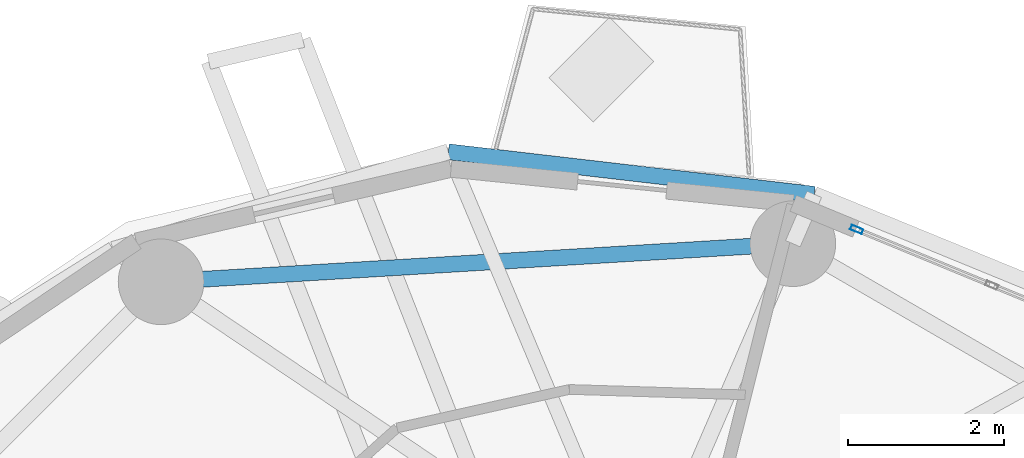
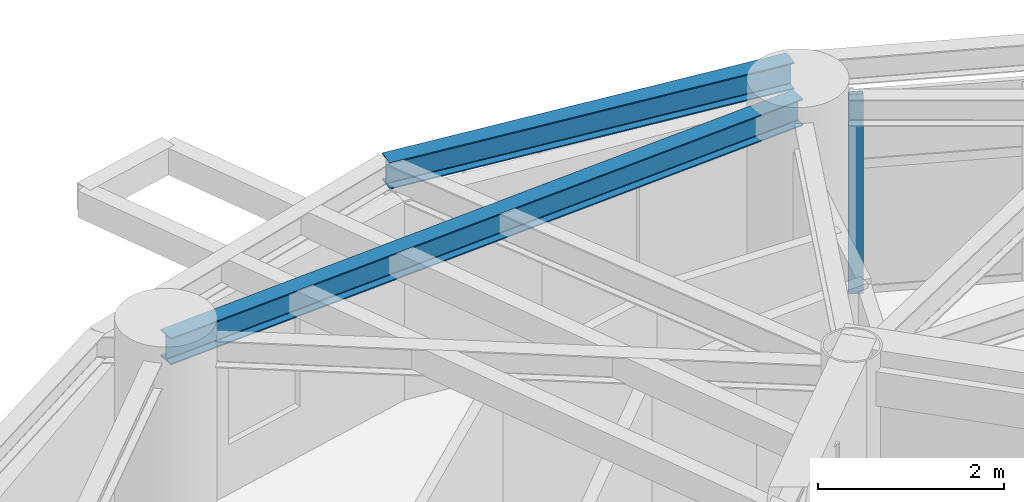
# One storey, part 5 of 17: 2 beams, 1 member, 1 element without a shape of its own.
"""IFC4 building model written with IfcOpenShell, lengths in metres."""

from ifc_helpers import new_model, si_unit, direction, frame, origin, origin_2d, place, context, subcontext, project, spatial, hollow_rectangle, i_section, extrude, material, layer, layer_set, material_profile, profile_set, type_object, element, aggregate, save


model = new_model("IFC4")

# Units and contexts
model_context = context("Model", 3, precision=1e-05, world=origin(), true_north=direction((0.0, 1.0)))
body_context = subcontext(model_context, "Body", "Model", "MODEL_VIEW")
ifc_project = project(units=[si_unit("LENGTHUNIT", "METRE"), si_unit("AREAUNIT", "SQUARE_METRE"), si_unit("VOLUMEUNIT", "CUBIC_METRE"), si_unit("PLANEANGLEUNIT", "RADIAN"), si_unit("MASSUNIT", "GRAM", prefix="KILO")], contexts=[model_context])

# Site, building, storey
site_placement = place(None, origin())
site = spatial("IfcSite", under=ifc_project, at=site_placement, CompositionType="ELEMENT")
building_placement = place(site_placement, origin())
building = spatial("IfcBuilding", under=site, at=building_placement, Name="Cununo Teusaquillo Station Towers", CompositionType="ELEMENT")
storey_placement = place(building_placement, frame((0.0, 0.0, 222.85009765625)))
storey = spatial("IfcBuildingStorey", under=building, at=storey_placement, Name="L71", CompositionType="ELEMENT", Elevation=222.85009765625)

# Beams
ifc_material_1 = material(Name="Steel ASTM A572 Grade 50", Category="steel")
ifc_material_profile_1 = material_profile(ifc_material_1, i_section(OverallWidth=0.2041015625, OverallDepth=0.35009765625, WebThickness=0.008544921875, FlangeThickness=0.01513671875, FilletRadius=0.011962890625, at=origin_2d()), Name="W14X48")
ifc_profile_set_1 = profile_set([ifc_material_profile_1], Name="Steel ASTM A572 Grade 50")
beam_type = type_object("IfcBeamType", Name="BM-RING-Z4", PredefinedType="SPANDREL", material=ifc_profile_set_1)
beam_1_placement = place(storey_placement, frame((58.291015625, 37.63525390625, 2.81494140625), z_axis=(-0.998190567048, -0.06012979176, 0.0), x_axis=(0.06012979176, -0.998190567048, 0.0)))
element("IfcBeam", 1, at=beam_1_placement, inside=storey, type_object=beam_type, Name="L71 Tower B Structural Column Ring Girder 02", PredefinedType="SPANDREL", context=body_context, shape_type="SweptSolid", body=[
    extrude(i_section(OverallWidth=0.2041015625, OverallDepth=0.35009765625, WebThickness=0.008544921875, FlangeThickness=0.01513671875, FilletRadius=0.011962890625, at=origin_2d()), origin(), (0.0, 0.0, 1.0), 8.132568359375),
])
beam_2_placement = place(storey_placement, frame((58.56591796875, 38.27001953125, 2.81494140625), z_axis=(-0.993313022334, 0.115452326356, 0.0), x_axis=(-0.115452326356, -0.993313022334, 0.0)))
element("IfcBeam", 2, at=beam_2_placement, inside=storey, type_object=beam_type, Name="L71 Tower B Spandrel Ring Beam 03", PredefinedType="SPANDREL", context=body_context, shape_type="SweptSolid", body=[
    extrude(i_section(OverallWidth=0.2041015625, OverallDepth=0.35009765625, WebThickness=0.008544921875, FlangeThickness=0.01513671875, FilletRadius=0.011962890625, at=origin_2d()), origin(), (0.0, 0.0, 1.0), 4.732666015625),
])

# Curtain wall, member
ifc_material_2 = material(Name="Ceramic-fritted dark low-E double glazing", Category="glass")
ifc_layer = layer(ifc_material_2, 0.179931640625)
ifc_layer_set = layer_set([ifc_layer], Name="Ceramic-fritted dark low-E double glazing")
curtain_wall_type = type_object("IfcCurtainWallType", Name="CW-SYS-07", PredefinedType="USERDEFINED", material=ifc_layer_set)
curtain_wall_placement = place(storey_placement, origin())
curtain_wall = element("IfcCurtainWall", 3, at=curtain_wall_placement, inside=storey, type_object=curtain_wall_type, Name="L71 Tower B Facade Curtain Wall C01", ObjectType="FRITTED GLAZING", PredefinedType="USERDEFINED")
ifc_material_3 = material(Name="Anodised dark bronze aluminium EN AW-6063-T6", Category="aluminium")
ifc_material_profile_2 = material_profile(ifc_material_3, hollow_rectangle(XDim=0.06494140625, YDim=0.159912109375, WallThickness=0.00390625, at=origin_2d()), Name="CW-MULL-65x160")
ifc_profile_set_2 = profile_set([ifc_material_profile_2], Name="Anodised dark bronze aluminium EN AW-6063-T6")
member_type = type_object("IfcMemberType", Name="CWM-160", PredefinedType="MULLION", material=ifc_profile_set_2)
member_placement = place(storey_placement, frame((59.111328125, 37.818359375, 0.0), z_axis=(0.0, 0.0, 1.0), x_axis=(0.381310513086, 0.924447019904, 0.0)))
member = element("IfcMember", 4, at=member_placement, type_object=member_type, Name="CW-07 mullion 1", PredefinedType="MULLION", context=body_context, shape_type="SweptSolid", body=[
    extrude(hollow_rectangle(XDim=0.06494140625, YDim=0.159912109375, WallThickness=0.00390625, at=origin_2d()), origin(), (0.0, 0.0, 1.0), 2.61181640625),
])
aggregate(curtain_wall, [member])

save(model, "model.ifc")
